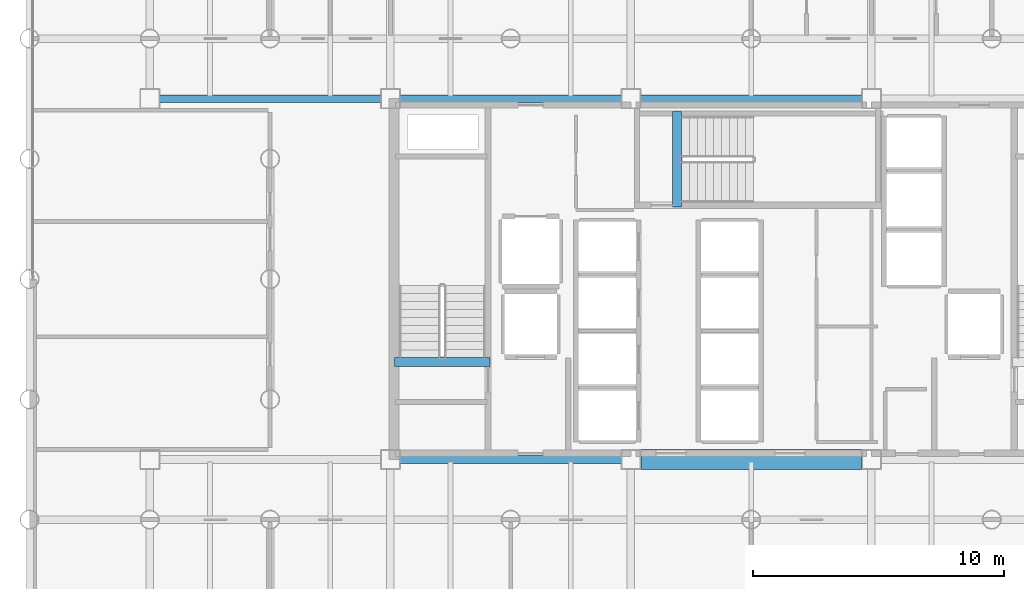
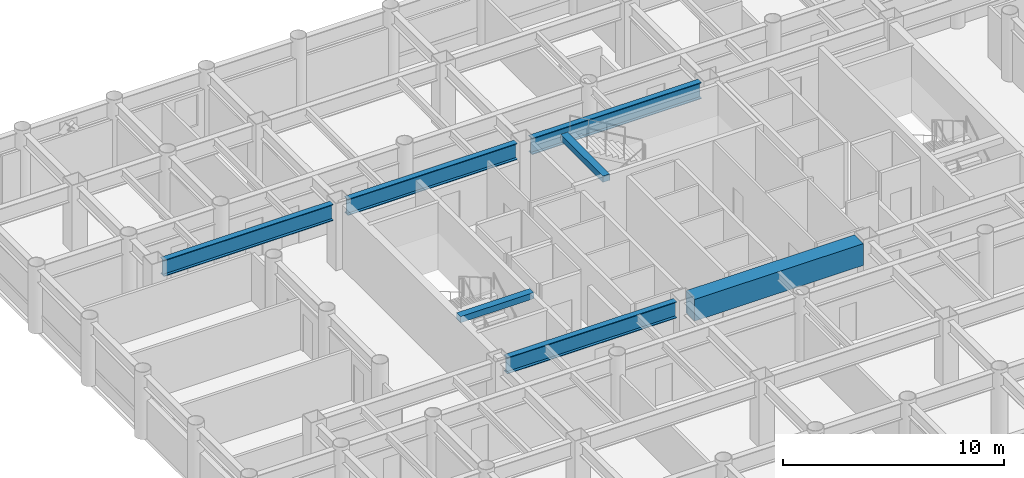
# One storey, part 5 of 19: 7 beams.
"""IFC4 building model written with IfcOpenShell, lengths in metres."""

import ifcopenshell
import ifcopenshell.guid

model = None  # the IFC model being written
_history = None  # IfcOwnerHistory: only IFC2X3 demands one
_inside = {}  # id of a spatial element -> (the spatial element, [elements in it])
_under = {}  # id of a project, library or spatial element -> (it, [spatial elements below it])
_declared = {}  # id of a project -> (the project, [libraries it declares])
_typed = {}  # id of a type object -> (the type object, [elements of that type])
_made_of = {}  # id of a material, layer set ... -> (it, [elements and type objects made of it])


def new_model(schema):
    """Start an empty IFC model of exactly this schema.

    Asked for "IFC4X3", IfcOpenShell would pick the latest addendum, in which some entities
    have other attributes; the version numbers below select the first issue.
    IFC2X3 requires an IfcOwnerHistory on every rooted entity: one is made here for all.
    """
    global model, _history
    if schema == "IFC4X3":
        model = ifcopenshell.file(schema_version=(4, 3, 0, 0))
    else:
        model = ifcopenshell.file(schema=schema)
    _inside.clear()
    _under.clear()
    _declared.clear()
    _typed.clear()
    _made_of.clear()
    _history = None
    if model.schema == "IFC2X3":
        org = make("IfcOrganization", Name="unknown")
        user = make(
            "IfcPersonAndOrganization",
            ThePerson=make("IfcPerson", FamilyName="unknown"),
            TheOrganization=org,
        )
        app = make(
            "IfcApplication",
            ApplicationDeveloper=org,
            Version="unknown",
            ApplicationFullName="unknown",
            ApplicationIdentifier="unknown",
        )
        _history = make(
            "IfcOwnerHistory",
            OwningUser=user,
            OwningApplication=app,
            ChangeAction="ADDED",
            CreationDate=0,
        )
    return model


def make(cls, **values):
    """One entity of the class cls with the attributes given. An attribute that is None is left unset."""
    return model.create_entity(
        cls, **{name: value for name, value in values.items() if value is not None}
    )


def rooted(cls, **values):
    """An entity with a GlobalId (a new one), such as an element, a storey or a relation."""
    return make(cls, GlobalId=ifcopenshell.guid.new(), OwnerHistory=_history, **values)


def si_unit(unit_type, name, prefix=None):
    """IfcSIUnit, for example si_unit("LENGTHUNIT", "METRE", prefix="MILLI")."""
    return make("IfcSIUnit", UnitType=unit_type, Prefix=prefix, Name=name)


def assignment(units):
    """IfcUnitAssignment: the units of a project."""
    return None if units is None else make("IfcUnitAssignment", Units=units)


def point(xyz):
    """IfcCartesianPoint."""
    return None if xyz is None else make("IfcCartesianPoint", Coordinates=xyz)


def direction(xyz):
    """IfcDirection."""
    return None if xyz is None else make("IfcDirection", DirectionRatios=xyz)


def frame(location, z_axis=None, x_axis=None):
    """IfcAxis2Placement3D, a coordinate frame: its origin and axes. An axis left out is left unset."""
    return make(
        "IfcAxis2Placement3D",
        Location=point(location),
        Axis=direction(z_axis),
        RefDirection=direction(x_axis),
    )


def frame_2d(location, x_axis=None):
    """IfcAxis2Placement2D, a coordinate frame in the plane: its origin and x axis."""
    return make(
        "IfcAxis2Placement2D", Location=point(location), RefDirection=direction(x_axis)
    )


def origin():
    """The frame at (0, 0, 0) with its axes left unset."""
    return frame((0.0, 0.0, 0.0))


def origin_2d():
    """The frame at (0, 0) in the plane with its x axis left unset."""
    return frame_2d((0.0, 0.0))


def place(relative_to, where):
    """IfcLocalPlacement: puts the frame where relative to a parent placement (None: the world)."""
    return make(
        "IfcLocalPlacement", PlacementRelTo=relative_to, RelativePlacement=where
    )


def context(
    kind, dimensions, precision=None, world=None, true_north=None, identifier=None
):
    """IfcGeometricRepresentationContext, for example the 3D "Model" context."""
    return make(
        "IfcGeometricRepresentationContext",
        ContextIdentifier=identifier,
        ContextType=kind,
        CoordinateSpaceDimension=dimensions,
        Precision=precision,
        WorldCoordinateSystem=world,
        TrueNorth=true_north,
    )


def subcontext(parent, identifier, kind, view, scale=None):
    """IfcGeometricRepresentationSubContext, for example "Body" below "Model"."""
    return make(
        "IfcGeometricRepresentationSubContext",
        ContextIdentifier=identifier,
        ContextType=kind,
        ParentContext=parent,
        TargetScale=scale,
        TargetView=view,
    )


def project(units=None, contexts=None):
    """IfcProject with its units and contexts."""
    return rooted(
        "IfcProject",
        Name="project",
        RepresentationContexts=contexts,
        UnitsInContext=assignment(units),
    )


def spatial(cls, under=None, at=None, **own):
    """A site, building, storey or space (cls), placed at a placement, below another one or the project."""
    s = rooted(cls, ObjectPlacement=at, **own)
    if under is not None:
        _under.setdefault(under.id(), (under, []))[1].append(s)
    return s


def profile(cls, at=None, kind="AREA", **sizes):
    """A parametric profile (cls). Its sizes go by their IFC names, for example OverallWidth=200.0."""
    return make(cls, ProfileType=kind, Position=at, **sizes)


def rectangle(**sizes):
    """IfcRectangleProfileDef."""
    return profile("IfcRectangleProfileDef", **sizes)


def i_section(**sizes):
    """IfcIShapeProfileDef."""
    return profile("IfcIShapeProfileDef", **sizes)


def extrude(swept, where, along, depth):
    """IfcExtrudedAreaSolid: the profile swept, set in the frame where, extruded along a direction by depth."""
    return make(
        "IfcExtrudedAreaSolid",
        SweptArea=swept,
        Position=where,
        ExtrudedDirection=direction(along),
        Depth=depth,
    )


def shape(context_of_items, identifier, shape_type, items):
    """IfcShapeRepresentation: the items that make up one representation, for example the "Body"."""
    return make(
        "IfcShapeRepresentation",
        ContextOfItems=context_of_items,
        RepresentationIdentifier=identifier,
        RepresentationType=shape_type,
        Items=items,
    )


def material(Name=None, Category=None):
    """IfcMaterial."""
    return make("IfcMaterial", Name=Name, Category=Category)


def material_profile(
    of_material, cross_section, Name=None, Category=None, Priority=None
):
    """IfcMaterialProfile: a cross section and its material."""
    return make(
        "IfcMaterialProfile",
        Name=Name,
        Material=of_material,
        Profile=cross_section,
        Priority=Priority,
        Category=Category,
    )


def profile_set(profiles, Name=None, composite=None):
    """IfcMaterialProfileSet."""
    return make(
        "IfcMaterialProfileSet",
        Name=Name,
        MaterialProfiles=profiles,
        CompositeProfile=composite,
    )


def made_of(thing, what):
    """Note that an element or type object is made of a material, layer set ...; save() writes the relation."""
    if what is not None:
        _made_of.setdefault(what.id(), (what, []))[1].append(thing)
    return thing


def type_object(cls, material=None, **own):
    """A type object (cls), such as IfcWallType, which elements share."""
    return made_of(rooted(cls, **own), material)


def element(
    cls,
    number,
    at=None,
    inside=None,
    cuts=None,
    type_object=None,
    material=None,
    context=None,
    identifier="Body",
    shape_type=None,
    held_by="IfcProductDefinitionShape",
    body=None,
    shapes=None,
    **own,
):
    """One element of the class cls, such as IfcWall. Its Tag is "e" and its number.

    at: its placement. inside: the storey or other place that contains it. cuts: it is an
    opening in that element (IfcRelVoidsElement). A single representation is given by context,
    identifier, shape_type and body (its items); several are given by shapes. held_by: the class
    of the entity that holds the representations. save() writes the other relations.
    """
    e = rooted(cls, Tag="e%d" % number, ObjectPlacement=at, **own)
    if body is not None:
        shapes = [shape(context, identifier, shape_type, body)]
    if shapes is not None:
        e.Representation = make(held_by, Representations=shapes)
    if inside is not None:
        _inside.setdefault(inside.id(), (inside, []))[1].append(e)
    if cuts is not None:
        rooted(
            "IfcRelVoidsElement", RelatingBuildingElement=cuts, RelatedOpeningElement=e
        )
    if type_object is not None:
        _typed.setdefault(type_object.id(), (type_object, []))[1].append(e)
    return made_of(e, material)


def aggregate(whole, parts):
    """IfcRelAggregates: a whole, such as a stair, and the parts it consists of."""
    return rooted("IfcRelAggregates", RelatingObject=whole, RelatedObjects=parts)


def save(model, path):
    """Write the relations noted so far, then the file.

    IfcRelAggregates (storeys below a building ...), IfcRelContainedInSpatialStructure (elements
    in a storey), IfcRelDefinesByType, IfcRelAssociatesMaterial and IfcRelDeclares: one each for
    every whole, place, type object, material and project.
    """
    for whole, parts in _under.values():
        aggregate(whole, parts)
    for where, things in _inside.values():
        rooted(
            "IfcRelContainedInSpatialStructure",
            RelatedElements=things,
            RelatingStructure=where,
        )
    for kind, things in _typed.values():
        rooted("IfcRelDefinesByType", RelatedObjects=things, RelatingType=kind)
    for what, things in _made_of.values():
        rooted("IfcRelAssociatesMaterial", RelatedObjects=things, RelatingMaterial=what)
    for by, libraries in _declared.values():
        rooted("IfcRelDeclares", RelatingContext=by, RelatedDefinitions=libraries)
    model.write(path)


model = new_model("IFC4")

# Units and contexts
model_context = context("Model", 3, precision=1e-05, world=origin(), true_north=direction((0.0, 1.0)))
body_context = subcontext(model_context, "Body", "Model", "MODEL_VIEW")
ifc_project = project(units=[si_unit("LENGTHUNIT", "METRE"), si_unit("AREAUNIT", "SQUARE_METRE"), si_unit("VOLUMEUNIT", "CUBIC_METRE"), si_unit("PLANEANGLEUNIT", "RADIAN"), si_unit("MASSUNIT", "GRAM", prefix="KILO")], contexts=[model_context])

# Site, building, storey
site_placement = place(None, origin())
site = spatial("IfcSite", under=ifc_project, at=site_placement, CompositionType="ELEMENT")
building_placement = place(site_placement, origin())
building = spatial("IfcBuilding", under=site, at=building_placement, Name="Kallvorn Hotel Tower", CompositionType="ELEMENT")
storey_placement = place(building_placement, frame((0.0, 0.0, 63.300048828125)))
storey = spatial("IfcBuildingStorey", under=building, at=storey_placement, Name="L14", CompositionType="ELEMENT", Elevation=63.300048828125)

# Beams
ifc_material_1 = material(Name="Structural steel S355JR", Category="steel")
ifc_material_profile_1 = material_profile(ifc_material_1, i_section(OverallWidth=0.300048828125, OverallDepth=0.89990234375, WebThickness=0.0185546875, FlangeThickness=0.034912109375, at=origin_2d()), Name="HE 900 B")
ifc_profile_set_1 = profile_set([ifc_material_profile_1], Name="Structural steel S355JR")
beam_type_1 = type_object("IfcBeamType", Name="BM_HE900B", PredefinedType="BEAM", material=ifc_profile_set_1)
beam_1_placement = place(storey_placement, frame((-14.02490234375, -7.199951171875, 3.070068359375), z_axis=(1.0, 0.0, 0.0), x_axis=(0.0, 1.0, 0.0)))
element("IfcBeam", 1, at=beam_1_placement, inside=storey, type_object=beam_type_1, Name="L15 Primary X-Girder 34", PredefinedType="BEAM", context=body_context, shape_type="SweptSolid", body=[
    extrude(i_section(OverallWidth=0.300048828125, OverallDepth=0.89990234375, WebThickness=0.0185546875, FlangeThickness=0.034912109375, at=origin_2d()), origin(), (0.0, 0.0, 1.0), 8.849853515625),
])
beam_2_placement = place(storey_placement, frame((-23.625, 7.199951171875, 3.070068359375), z_axis=(1.0, 0.0, 0.0), x_axis=(0.0, 1.0, 0.0)))
element("IfcBeam", 2, at=beam_2_placement, inside=storey, type_object=beam_type_1, Name="L15 Primary X-Girder 37", PredefinedType="BEAM", context=body_context, shape_type="SweptSolid", body=[
    extrude(i_section(OverallWidth=0.300048828125, OverallDepth=0.89990234375, WebThickness=0.0185546875, FlangeThickness=0.034912109375, at=origin_2d()), origin(), (0.0, 0.0, 1.0), 8.85009765625),
])
beam_3_placement = place(storey_placement, frame((-14.02490234375, 7.199951171875, 3.070068359375), z_axis=(1.0, 0.0, 0.0), x_axis=(0.0, 1.0, 0.0)))
element("IfcBeam", 3, at=beam_3_placement, inside=storey, type_object=beam_type_1, Name="L15 Primary X-Girder 38", PredefinedType="BEAM", context=body_context, shape_type="SweptSolid", body=[
    extrude(i_section(OverallWidth=0.300048828125, OverallDepth=0.89990234375, WebThickness=0.0185546875, FlangeThickness=0.034912109375, at=origin_2d()), origin(), (0.0, 0.0, 1.0), 8.849853515625),
])
beam_4_placement = place(storey_placement, frame((-4.425048828125, 7.199951171875, 3.070068359375), z_axis=(1.0, 0.0, 0.0), x_axis=(0.0, 1.0, 0.0)))
element("IfcBeam", 4, at=beam_4_placement, inside=storey, type_object=beam_type_1, Name="L15 Primary X-Girder 39", PredefinedType="BEAM", context=body_context, shape_type="SweptSolid", body=[
    extrude(i_section(OverallWidth=0.300048828125, OverallDepth=0.89990234375, WebThickness=0.0185546875, FlangeThickness=0.034912109375, at=origin_2d()), origin(), (0.0, 0.0, 1.0), 8.85009765625),
])
ifc_material_2 = material(Name="Concrete C50/60", Category="concrete")
ifc_material_profile_2 = material_profile(ifc_material_2, rectangle(XDim=0.360107421875, YDim=0.340087890625, at=origin_2d()), Name="RC 360x340")
ifc_profile_set_2 = profile_set([ifc_material_profile_2], Name="Concrete C50/60")
beam_type_2 = type_object("IfcBeamType", Name="BM_RC_400x360", PredefinedType="BEAM", material=ifc_profile_set_2)
beam_5_placement = place(storey_placement, frame((-10.419921875, -3.31005859375, 3.349853515625), z_axis=(-1.0, 0.0, 0.0), x_axis=(0.0, -1.0, 0.0)))
element("IfcBeam", 5, at=beam_5_placement, inside=storey, type_object=beam_type_2, Name="L15 Stair ST1 Arrival Trimmer Beam", PredefinedType="BEAM", context=body_context, shape_type="SweptSolid", body=[
    extrude(rectangle(XDim=0.360107421875, YDim=0.340087890625, at=origin_2d()), origin(), (0.0, 0.0, 1.0), 3.820068359375),
])
beam_6_placement = place(storey_placement, frame((-2.9599609375, 2.8701171875, 3.349853515625), z_axis=(0.0, 1.0, 0.0), x_axis=(-1.0, 0.0, 0.0)))
element("IfcBeam", 6, at=beam_6_placement, inside=storey, type_object=beam_type_2, Name="L15 Stair ST3 Arrival Trimmer Beam", PredefinedType="BEAM", context=body_context, shape_type="SweptSolid", body=[
    extrude(rectangle(XDim=0.360107421875, YDim=0.340087890625, at=origin_2d()), origin(), (0.0, 0.0, 1.0), 3.81982421875),
])
ifc_material_3 = material(Name="Concrete C50/60", Category="concrete")
ifc_material_profile_3 = material_profile(ifc_material_3, rectangle(XDim=0.800048828125, YDim=1.199951171875, at=origin_2d()), Name="RC 800x1200")
ifc_profile_set_3 = profile_set([ifc_material_profile_3], Name="Concrete C50/60")
beam_type_3 = type_object("IfcBeamType", Name="BM_RC_800x1200", PredefinedType="T_BEAM", material=ifc_profile_set_3)
beam_7_placement = place(storey_placement, frame((-4.39990234375, -7.199951171875, 2.919921875), z_axis=(1.0, 0.0, 0.0), x_axis=(0.0, 1.0, 0.0)))
element("IfcBeam", 7, at=beam_7_placement, inside=storey, type_object=beam_type_3, Name="L14 Core Coupling Beam South", PredefinedType="T_BEAM", context=body_context, shape_type="SweptSolid", body=[
    extrude(rectangle(XDim=0.800048828125, YDim=1.199951171875, at=origin_2d()), origin(), (0.0, 0.0, 1.0), 8.7998046875),
])

save(model, "model.ifc")
